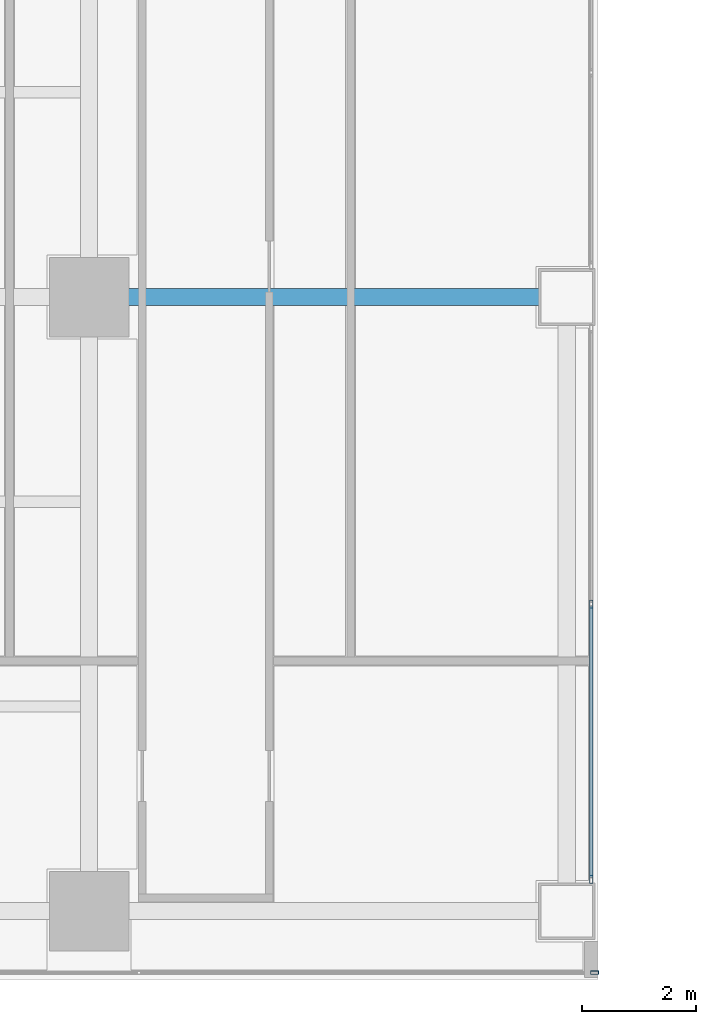
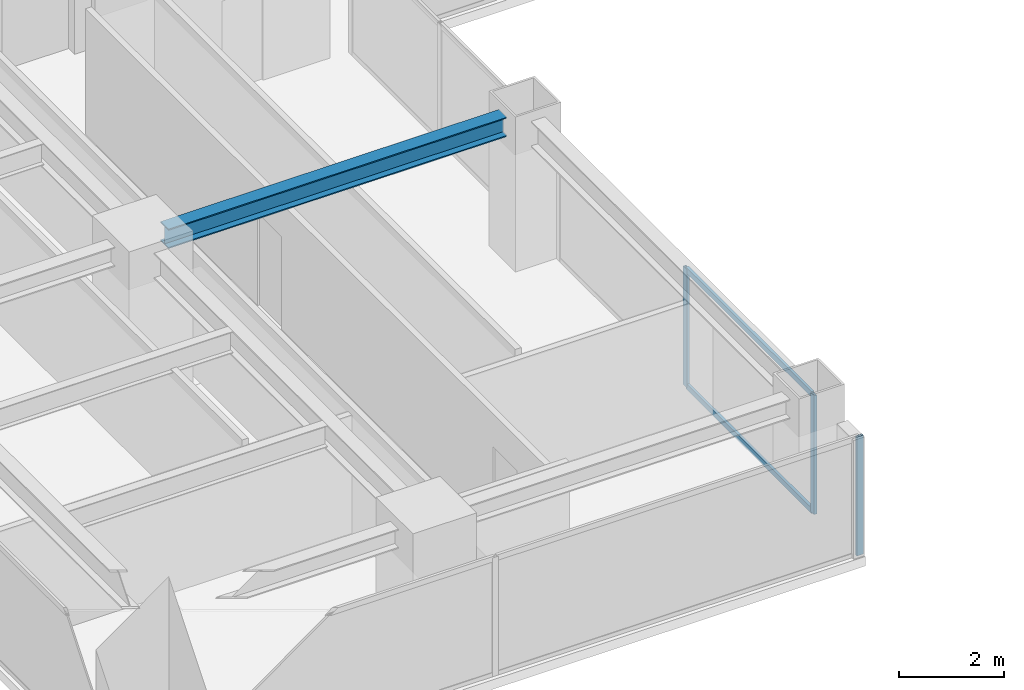
# One storey, part 5 of 29: 5 members, 1 beam, 2 elements without a shape of their own.
"""IFC4 building model written with IfcOpenShell, lengths in metres."""

import ifcopenshell
import ifcopenshell.guid

model = None  # the IFC model being written
_history = None  # IfcOwnerHistory: only IFC2X3 demands one
_inside = {}  # id of a spatial element -> (the spatial element, [elements in it])
_under = {}  # id of a project, library or spatial element -> (it, [spatial elements below it])
_declared = {}  # id of a project -> (the project, [libraries it declares])
_typed = {}  # id of a type object -> (the type object, [elements of that type])
_made_of = {}  # id of a material, layer set ... -> (it, [elements and type objects made of it])


def new_model(schema):
    """Start an empty IFC model of exactly this schema.

    Asked for "IFC4X3", IfcOpenShell would pick the latest addendum, in which some entities
    have other attributes; the version numbers below select the first issue.
    IFC2X3 requires an IfcOwnerHistory on every rooted entity: one is made here for all.
    """
    global model, _history
    if schema == "IFC4X3":
        model = ifcopenshell.file(schema_version=(4, 3, 0, 0))
    else:
        model = ifcopenshell.file(schema=schema)
    _inside.clear()
    _under.clear()
    _declared.clear()
    _typed.clear()
    _made_of.clear()
    _history = None
    if model.schema == "IFC2X3":
        org = make("IfcOrganization", Name="unknown")
        user = make(
            "IfcPersonAndOrganization",
            ThePerson=make("IfcPerson", FamilyName="unknown"),
            TheOrganization=org,
        )
        app = make(
            "IfcApplication",
            ApplicationDeveloper=org,
            Version="unknown",
            ApplicationFullName="unknown",
            ApplicationIdentifier="unknown",
        )
        _history = make(
            "IfcOwnerHistory",
            OwningUser=user,
            OwningApplication=app,
            ChangeAction="ADDED",
            CreationDate=0,
        )
    return model


def make(cls, **values):
    """One entity of the class cls with the attributes given. An attribute that is None is left unset."""
    return model.create_entity(
        cls, **{name: value for name, value in values.items() if value is not None}
    )


def rooted(cls, **values):
    """An entity with a GlobalId (a new one), such as an element, a storey or a relation."""
    return make(cls, GlobalId=ifcopenshell.guid.new(), OwnerHistory=_history, **values)


def si_unit(unit_type, name, prefix=None):
    """IfcSIUnit, for example si_unit("LENGTHUNIT", "METRE", prefix="MILLI")."""
    return make("IfcSIUnit", UnitType=unit_type, Prefix=prefix, Name=name)


def assignment(units):
    """IfcUnitAssignment: the units of a project."""
    return None if units is None else make("IfcUnitAssignment", Units=units)


def point(xyz):
    """IfcCartesianPoint."""
    return None if xyz is None else make("IfcCartesianPoint", Coordinates=xyz)


def direction(xyz):
    """IfcDirection."""
    return None if xyz is None else make("IfcDirection", DirectionRatios=xyz)


def frame(location, z_axis=None, x_axis=None):
    """IfcAxis2Placement3D, a coordinate frame: its origin and axes. An axis left out is left unset."""
    return make(
        "IfcAxis2Placement3D",
        Location=point(location),
        Axis=direction(z_axis),
        RefDirection=direction(x_axis),
    )


def frame_2d(location, x_axis=None):
    """IfcAxis2Placement2D, a coordinate frame in the plane: its origin and x axis."""
    return make(
        "IfcAxis2Placement2D", Location=point(location), RefDirection=direction(x_axis)
    )


def origin():
    """The frame at (0, 0, 0) with its axes left unset."""
    return frame((0.0, 0.0, 0.0))


def origin_2d():
    """The frame at (0, 0) in the plane with its x axis left unset."""
    return frame_2d((0.0, 0.0))


def place(relative_to, where):
    """IfcLocalPlacement: puts the frame where relative to a parent placement (None: the world)."""
    return make(
        "IfcLocalPlacement", PlacementRelTo=relative_to, RelativePlacement=where
    )


def context(
    kind, dimensions, precision=None, world=None, true_north=None, identifier=None
):
    """IfcGeometricRepresentationContext, for example the 3D "Model" context."""
    return make(
        "IfcGeometricRepresentationContext",
        ContextIdentifier=identifier,
        ContextType=kind,
        CoordinateSpaceDimension=dimensions,
        Precision=precision,
        WorldCoordinateSystem=world,
        TrueNorth=true_north,
    )


def subcontext(parent, identifier, kind, view, scale=None):
    """IfcGeometricRepresentationSubContext, for example "Body" below "Model"."""
    return make(
        "IfcGeometricRepresentationSubContext",
        ContextIdentifier=identifier,
        ContextType=kind,
        ParentContext=parent,
        TargetScale=scale,
        TargetView=view,
    )


def project(units=None, contexts=None):
    """IfcProject with its units and contexts."""
    return rooted(
        "IfcProject",
        Name="project",
        RepresentationContexts=contexts,
        UnitsInContext=assignment(units),
    )


def spatial(cls, under=None, at=None, **own):
    """A site, building, storey or space (cls), placed at a placement, below another one or the project."""
    s = rooted(cls, ObjectPlacement=at, **own)
    if under is not None:
        _under.setdefault(under.id(), (under, []))[1].append(s)
    return s


def profile(cls, at=None, kind="AREA", **sizes):
    """A parametric profile (cls). Its sizes go by their IFC names, for example OverallWidth=200.0."""
    return make(cls, ProfileType=kind, Position=at, **sizes)


def hollow_rectangle(**sizes):
    """IfcRectangleHollowProfileDef."""
    return profile("IfcRectangleHollowProfileDef", **sizes)


def i_section(**sizes):
    """IfcIShapeProfileDef."""
    return profile("IfcIShapeProfileDef", **sizes)


def extrude(swept, where, along, depth):
    """IfcExtrudedAreaSolid: the profile swept, set in the frame where, extruded along a direction by depth."""
    return make(
        "IfcExtrudedAreaSolid",
        SweptArea=swept,
        Position=where,
        ExtrudedDirection=direction(along),
        Depth=depth,
    )


def shape(context_of_items, identifier, shape_type, items):
    """IfcShapeRepresentation: the items that make up one representation, for example the "Body"."""
    return make(
        "IfcShapeRepresentation",
        ContextOfItems=context_of_items,
        RepresentationIdentifier=identifier,
        RepresentationType=shape_type,
        Items=items,
    )


def source(mapping_origin, context_of_items, identifier, shape_type, items):
    """IfcRepresentationMap: a shape defined once, which mapped items show again and again."""
    return make(
        "IfcRepresentationMap",
        MappingOrigin=mapping_origin,
        MappedRepresentation=shape(context_of_items, identifier, shape_type, items),
    )


def transform(
    local_origin,
    x_axis=None,
    y_axis=None,
    z_axis=None,
    scale=None,
    scale2=None,
    scale3=None,
    uniform=True,
):
    """IfcCartesianTransformationOperator3D, or its non-uniform kind. x_axis, y_axis, z_axis: its Axis1, 2, 3."""
    if uniform:
        return make(
            "IfcCartesianTransformationOperator3D",
            Axis1=direction(x_axis),
            Axis2=direction(y_axis),
            LocalOrigin=point(local_origin),
            Scale=scale,
            Axis3=direction(z_axis),
        )
    return make(
        "IfcCartesianTransformationOperator3DnonUniform",
        Axis1=direction(x_axis),
        Axis2=direction(y_axis),
        LocalOrigin=point(local_origin),
        Scale=scale,
        Axis3=direction(z_axis),
        Scale2=scale2,
        Scale3=scale3,
    )


def mapped(mapping_source, mapping_target):
    """IfcMappedItem: shows the shape of a source again, moved by a transform."""
    return make(
        "IfcMappedItem", MappingSource=mapping_source, MappingTarget=mapping_target
    )


def material(Name=None, Category=None):
    """IfcMaterial."""
    return make("IfcMaterial", Name=Name, Category=Category)


def layer(
    of_material, thickness, ventilated=None, Name=None, Category=None, Priority=None
):
    """IfcMaterialLayer: one layer of a wall or slab, of a material (None: an air gap)."""
    return make(
        "IfcMaterialLayer",
        Material=of_material,
        LayerThickness=thickness,
        IsVentilated=ventilated,
        Name=Name,
        Category=Category,
        Priority=Priority,
    )


def layer_set(layers, Name=None):
    """IfcMaterialLayerSet."""
    return make("IfcMaterialLayerSet", MaterialLayers=layers, LayerSetName=Name)


def material_profile(
    of_material, cross_section, Name=None, Category=None, Priority=None
):
    """IfcMaterialProfile: a cross section and its material."""
    return make(
        "IfcMaterialProfile",
        Name=Name,
        Material=of_material,
        Profile=cross_section,
        Priority=Priority,
        Category=Category,
    )


def profile_set(profiles, Name=None, composite=None):
    """IfcMaterialProfileSet."""
    return make(
        "IfcMaterialProfileSet",
        Name=Name,
        MaterialProfiles=profiles,
        CompositeProfile=composite,
    )


def made_of(thing, what):
    """Note that an element or type object is made of a material, layer set ...; save() writes the relation."""
    if what is not None:
        _made_of.setdefault(what.id(), (what, []))[1].append(thing)
    return thing


def type_object(cls, material=None, **own):
    """A type object (cls), such as IfcWallType, which elements share."""
    return made_of(rooted(cls, **own), material)


def element(
    cls,
    number,
    at=None,
    inside=None,
    cuts=None,
    type_object=None,
    material=None,
    context=None,
    identifier="Body",
    shape_type=None,
    held_by="IfcProductDefinitionShape",
    body=None,
    shapes=None,
    **own,
):
    """One element of the class cls, such as IfcWall. Its Tag is "e" and its number.

    at: its placement. inside: the storey or other place that contains it. cuts: it is an
    opening in that element (IfcRelVoidsElement). A single representation is given by context,
    identifier, shape_type and body (its items); several are given by shapes. held_by: the class
    of the entity that holds the representations. save() writes the other relations.
    """
    e = rooted(cls, Tag="e%d" % number, ObjectPlacement=at, **own)
    if body is not None:
        shapes = [shape(context, identifier, shape_type, body)]
    if shapes is not None:
        e.Representation = make(held_by, Representations=shapes)
    if inside is not None:
        _inside.setdefault(inside.id(), (inside, []))[1].append(e)
    if cuts is not None:
        rooted(
            "IfcRelVoidsElement", RelatingBuildingElement=cuts, RelatedOpeningElement=e
        )
    if type_object is not None:
        _typed.setdefault(type_object.id(), (type_object, []))[1].append(e)
    return made_of(e, material)


def aggregate(whole, parts):
    """IfcRelAggregates: a whole, such as a stair, and the parts it consists of."""
    return rooted("IfcRelAggregates", RelatingObject=whole, RelatedObjects=parts)


def save(model, path):
    """Write the relations noted so far, then the file.

    IfcRelAggregates (storeys below a building ...), IfcRelContainedInSpatialStructure (elements
    in a storey), IfcRelDefinesByType, IfcRelAssociatesMaterial and IfcRelDeclares: one each for
    every whole, place, type object, material and project.
    """
    for whole, parts in _under.values():
        aggregate(whole, parts)
    for where, things in _inside.values():
        rooted(
            "IfcRelContainedInSpatialStructure",
            RelatedElements=things,
            RelatingStructure=where,
        )
    for kind, things in _typed.values():
        rooted("IfcRelDefinesByType", RelatedObjects=things, RelatingType=kind)
    for what, things in _made_of.values():
        rooted("IfcRelAssociatesMaterial", RelatedObjects=things, RelatingMaterial=what)
    for by, libraries in _declared.values():
        rooted("IfcRelDeclares", RelatingContext=by, RelatedDefinitions=libraries)
    model.write(path)


model = new_model("IFC4")

# Units and contexts
model_context = context("Model", 3, precision=1e-05, world=origin(), true_north=direction((0.0, 1.0)))
body_context = subcontext(model_context, "Body", "Model", "MODEL_VIEW")
ifc_project = project(units=[si_unit("LENGTHUNIT", "METRE"), si_unit("AREAUNIT", "SQUARE_METRE"), si_unit("VOLUMEUNIT", "CUBIC_METRE"), si_unit("PLANEANGLEUNIT", "RADIAN"), si_unit("MASSUNIT", "GRAM", prefix="KILO")], contexts=[model_context])

# Site, building, storey
site_placement = place(None, origin())
site = spatial("IfcSite", under=ifc_project, at=site_placement, CompositionType="ELEMENT")
building_placement = place(site_placement, origin())
building = spatial("IfcBuilding", under=site, at=building_placement, Name="Sumidabori Civic Tower", CompositionType="ELEMENT")
storey_placement = place(building_placement, frame((0.0, 0.0, 203.60009765625)))
storey = spatial("IfcBuildingStorey", under=building, at=storey_placement, Name="L52", CompositionType="ELEMENT", Elevation=203.60009765625)

# Beam
ifc_material_1 = material(Name="Steel SN490", Category="steel")
ifc_material_profile_1 = material_profile(ifc_material_1, i_section(OverallWidth=0.300048828125, OverallDepth=0.449951171875, WebThickness=0.013916015625, FlangeThickness=0.02587890625, at=origin_2d()), Name="HE 450 B")
ifc_profile_set_1 = profile_set([ifc_material_profile_1], Name="Steel SN490")
beam_type = type_object("IfcBeamType", Name="BM-GIRD-450", PredefinedType="BEAM", material=ifc_profile_set_1)
shared_shape_1 = source(origin(), body_context, "Body", "SweptSolid", [
    extrude(i_section(OverallWidth=0.300048828125, OverallDepth=0.449951171875, WebThickness=0.013916015625, FlangeThickness=0.02587890625, at=origin_2d()), origin(), (0.0, 0.0, 1.0), 7.440185546875),
])
beam_placement = place(storey_placement, frame((-16.320068359375, 0.0, 3.15478515625), z_axis=(1.0, 0.0, 0.0), x_axis=(0.0, 1.0, 0.0)))
element("IfcBeam", 1, at=beam_placement, inside=storey, type_object=beam_type, Name="Primary Girder L52 GX-06", PredefinedType="BEAM", context=body_context, shape_type="MappedRepresentation", body=[
    mapped(shared_shape_1, transform((0.0, 0.0, 0.0), x_axis=(1.0, 0.0, 0.0), y_axis=(0.0, 1.0, 0.0), z_axis=(0.0, 0.0, 1.0), scale=1.0)),
])

# Curtain wall, member
ifc_material_2 = material(Name="Anodised Bronze Aluminium AW-6063-T6", Category="aluminium")
ifc_layer_1 = layer(ifc_material_2, 0.179931640625, Name="Anodised Bronze Aluminium AW-6063-T6")
ifc_layer_set_1 = layer_set([ifc_layer_1], Name="Anodised Bronze Aluminium AW-6063-T6")
curtain_wall_type_1 = type_object("IfcCurtainWallType", Name="CW-SYS-5", PredefinedType="NOTDEFINED", material=ifc_layer_set_1)
curtain_wall_1_placement = place(storey_placement, origin())
curtain_wall_1 = element("IfcCurtainWall", 2, at=curtain_wall_1_placement, inside=storey, type_object=curtain_wall_type_1, Name="Curtain Wall CW:L52:R01", PredefinedType="NOTDEFINED")
ifc_material_profile_2 = material_profile(ifc_material_2, hollow_rectangle(XDim=0.06005859375, YDim=0.139892578125, WallThickness=0.0048828125, at=origin_2d()), Name="ALU MULLION 140x60")
ifc_profile_set_2 = profile_set([ifc_material_profile_2], Name="Anodised Bronze Aluminium AW-6063-T6")
member_type_1 = type_object("IfcMemberType", Name="CW-MUL-140", PredefinedType="MULLION", material=ifc_profile_set_2)
shared_shape_2 = source(origin(), body_context, "Body", "SweptSolid", [
    extrude(hollow_rectangle(XDim=0.06005859375, YDim=0.139892578125, WallThickness=0.0048828125, at=origin_2d()), origin(), (0.0, 0.0, 1.0), 2.760009765625),
])
member_1_placement = place(storey_placement, frame((-7.909912109375, -11.8798828125, 0.0), z_axis=(0.0, 0.0, 1.0), x_axis=(0.0, 1.0, 0.0)))
member_1 = element("IfcMember", 3, at=member_1_placement, type_object=member_type_1, Name="CW-5 mullion 3", PredefinedType="MULLION", context=body_context, shape_type="MappedRepresentation", body=[
    mapped(shared_shape_2, transform((0.0, 0.0, 0.0), x_axis=(1.0, 0.0, 0.0), y_axis=(0.0, 1.0, 0.0), z_axis=(0.0, 0.0, 1.0), scale=1.0)),
])
aggregate(curtain_wall_1, [member_1])

# Curtain wall, members
ifc_layer_2 = layer(ifc_material_2, 0.179931640625, Name="Anodised Bronze Aluminium AW-6063-T6")
ifc_layer_set_2 = layer_set([ifc_layer_2], Name="Anodised Bronze Aluminium AW-6063-T6")
curtain_wall_type_2 = type_object("IfcCurtainWallType", Name="CW-SYS-4", PredefinedType="NOTDEFINED", material=ifc_layer_set_2)
curtain_wall_2_placement = place(storey_placement, origin())
curtain_wall_2 = element("IfcCurtainWall", 4, at=curtain_wall_2_placement, inside=storey, type_object=curtain_wall_type_2, Name="Curtain Wall CW:L52:R03", PredefinedType="NOTDEFINED")
member_2_placement = place(storey_placement, frame((-7.969970703125, -10.239990234375, 0.0), z_axis=(0.0, 0.0, 1.0), x_axis=(-1.0, 0.0, 0.0)))
member_2 = element("IfcMember", 5, at=member_2_placement, type_object=member_type_1, Name="CW-4 mullion 1", PredefinedType="MULLION", context=body_context, shape_type="MappedRepresentation", body=[
    mapped(shared_shape_2, transform((0.0, 0.0, 0.0), x_axis=(1.0, 0.0, 0.0), y_axis=(0.0, 1.0, 0.0), z_axis=(0.0, 0.0, 1.0), scale=1.0)),
])
member_3_placement = place(storey_placement, frame((-7.969970703125, -5.39990234375, 0.0), z_axis=(0.0, 0.0, 1.0), x_axis=(-1.0, 0.0, 0.0)))
member_3 = element("IfcMember", 6, at=member_3_placement, type_object=member_type_1, Name="CW-4 mullion 2", PredefinedType="MULLION", context=body_context, shape_type="MappedRepresentation", body=[
    mapped(shared_shape_2, transform((0.0, 0.0, 0.0), x_axis=(1.0, 0.0, 0.0), y_axis=(0.0, 1.0, 0.0), z_axis=(0.0, 0.0, 1.0), scale=1.0)),
])
ifc_material_profile_3 = material_profile(ifc_material_2, hollow_rectangle(XDim=0.06005859375, YDim=0.1298828125, WallThickness=0.0048828125, at=origin_2d()), Name="ALU TRANSOM 130x60")
ifc_profile_set_3 = profile_set([ifc_material_profile_3], Name="Anodised Bronze Aluminium AW-6063-T6")
member_type_2 = type_object("IfcMemberType", Name="CW-TRN-130", PredefinedType="USERDEFINED", material=ifc_profile_set_3)
shared_shape_3 = source(origin(), body_context, "Body", "SweptSolid", [
    extrude(hollow_rectangle(XDim=0.06005859375, YDim=0.1298828125, WallThickness=0.0048828125, at=origin_2d()), origin(), (0.0, 0.0, 1.0), 4.780029296875),
])
member_4_placement = place(storey_placement, frame((-7.969970703125, -10.2099609375, 0.02978515625), z_axis=(0.0, 1.0, 0.0), x_axis=(-1.0, 0.0, 0.0)))
member_4 = element("IfcMember", 7, at=member_4_placement, type_object=member_type_2, Name="CW-4 transom 1.1", ObjectType="TRANSOM", PredefinedType="USERDEFINED", context=body_context, shape_type="MappedRepresentation", body=[
    mapped(shared_shape_3, transform((0.0, 0.0, 0.0), x_axis=(1.0, 0.0, 0.0), y_axis=(0.0, 1.0, 0.0), z_axis=(0.0, 0.0, 1.0), scale=1.0)),
])
member_5_placement = place(storey_placement, frame((-7.969970703125, -10.2099609375, 2.72998046875), z_axis=(0.0, 1.0, 0.0), x_axis=(-1.0, 0.0, 0.0)))
member_5 = element("IfcMember", 8, at=member_5_placement, type_object=member_type_2, Name="CW-4 transom 1.2", ObjectType="TRANSOM", PredefinedType="USERDEFINED", context=body_context, shape_type="MappedRepresentation", body=[
    mapped(shared_shape_3, transform((0.0, 0.0, 0.0), x_axis=(1.0, 0.0, 0.0), y_axis=(0.0, 1.0, 0.0), z_axis=(0.0, 0.0, 1.0), scale=1.0)),
])
aggregate(curtain_wall_2, [member_2, member_3, member_4, member_5])

save(model, "model.ifc")
